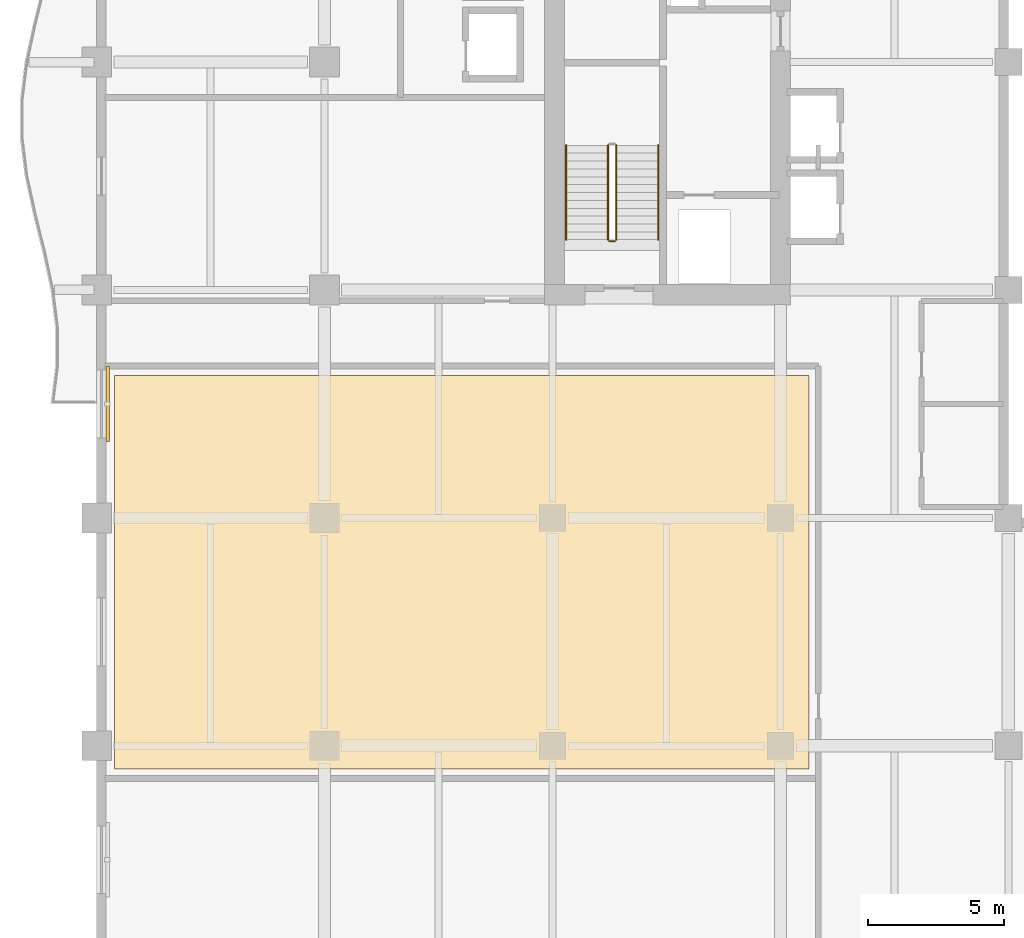
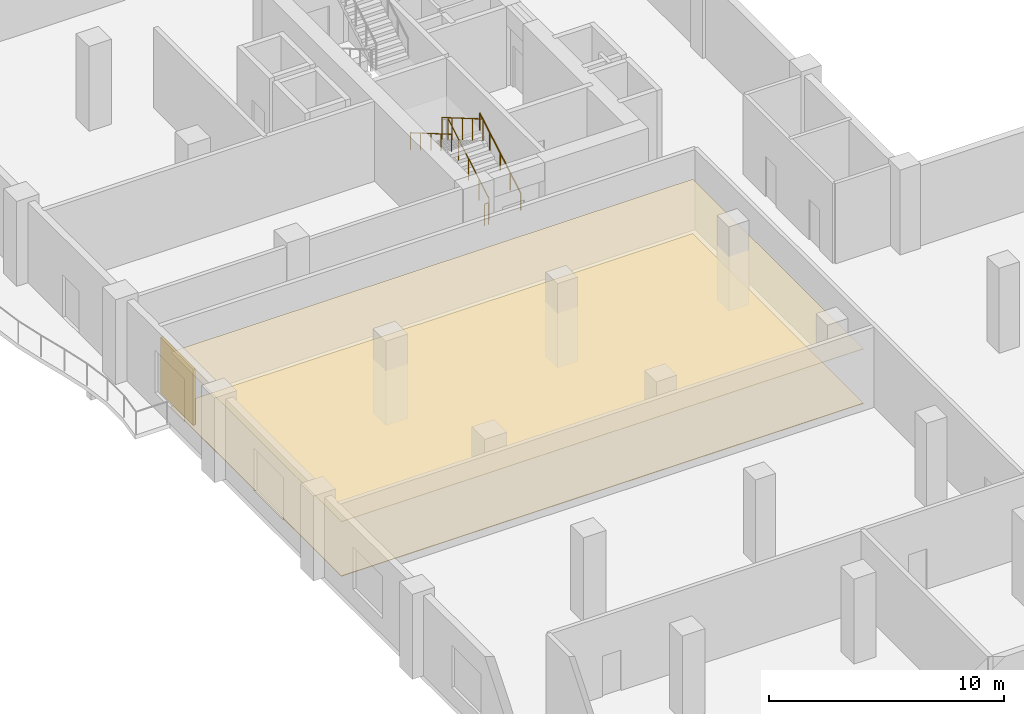
# One storey, part 20 of 22: 5 railings, 2 coverings, 1 shading device.
"""IFC4 building model written with IfcOpenShell, lengths in metres."""

from ifc_helpers import new_model, si_unit, direction, frame, origin, origin_2d, place, context, subcontext, project, spatial, polyline, rectangle, circle, outline, extrude, material, layer, layer_set, type_object, element, save


model = new_model("IFC4")

# Units and contexts
model_context = context("Model", 3, precision=1e-05, world=origin(), true_north=direction((0.0, 1.0)))
body_context = subcontext(model_context, "Body", "Model", "MODEL_VIEW")
ifc_project = project(units=[si_unit("LENGTHUNIT", "METRE"), si_unit("AREAUNIT", "SQUARE_METRE"), si_unit("VOLUMEUNIT", "CUBIC_METRE"), si_unit("PLANEANGLEUNIT", "RADIAN"), si_unit("MASSUNIT", "GRAM", prefix="KILO")], contexts=[model_context])

# Site, building, storey
site_placement = place(None, origin())
site = spatial("IfcSite", under=ifc_project, at=site_placement, CompositionType="ELEMENT")
building_placement = place(site_placement, origin())
building = spatial("IfcBuilding", under=site, at=building_placement, Name="Koriwani Terraces Tower", CompositionType="ELEMENT")
storey_placement = place(building_placement, frame((0.0, 0.0, 153.199951171875)))
storey = spatial("IfcBuildingStorey", under=building, at=storey_placement, Name="L37", CompositionType="ELEMENT", Elevation=153.199951171875)

# Coverings
ifc_material_1 = material(Name="Fire-Rated Acoustic Gypsum Partition", Category="masonry")
ifc_layer_1 = layer(ifc_material_1, 0.02490234375, Name="Fire-Rated Acoustic Gypsum Partition")
ifc_layer_set_1 = layer_set([ifc_layer_1], Name="Fire-Rated Acoustic Gypsum Partition")
covering_type_1 = type_object("IfcCoveringType", Name="CEILING_ACOUSTIC_GYPSUM", PredefinedType="CEILING", material=ifc_layer_set_1)
covering_1_placement = place(storey_placement, frame((0.0, 0.0, 2.824951171875)))
element("IfcCovering", 1, at=covering_1_placement, inside=storey, type_object=covering_type_1, Name="L37 Suspended Acoustic Gypsum Ceiling", PredefinedType="CEILING", context=body_context, shape_type="SweptSolid", body=[
    extrude(outline(polyline([(0.64990234375, 24.35009765625), (0.64990234375, 38.85009765625), (26.25, 38.85009765625), (26.25, 24.35009765625), (0.64990234375, 24.35009765625)])), origin(), (0.0, 0.0, 1.0), 0.025146484375),
])
ifc_material_2 = material(Name="Polished Andean Slate Flooring", Category="masonry")
ifc_layer_2 = layer(ifc_material_2, 0.030029296875, Name="Polished Andean Slate Flooring")
ifc_layer_set_2 = layer_set([ifc_layer_2], Name="Polished Andean Slate Flooring")
covering_type_2 = type_object("IfcCoveringType", Name="FLOORING_ANDEAN_STONE", PredefinedType="FLOORING", material=ifc_layer_set_2)
covering_2_placement = place(storey_placement, origin())
element("IfcCovering", 2, at=covering_2_placement, inside=storey, type_object=covering_type_2, Name="L37 Polished Andean Slate Floor Finish", PredefinedType="FLOORING", context=body_context, shape_type="SweptSolid", body=[
    extrude(outline(polyline([(0.64990234375, 24.35009765625), (0.64990234375, 38.85009765625), (26.25, 38.85009765625), (26.25, 24.35009765625), (0.64990234375, 24.35009765625)])), origin(), (0.0, 0.0, 1.0), 0.030029296875),
])

# Railings
ifc_material_3 = material(Name="Steel ASTM A572 Grade 50", Category="steel")
railing_type_1 = type_object("IfcRailingType", Name="GUARD_STAIR_WELL_1120", PredefinedType="GUARDRAIL", material=ifc_material_3)
railing_1_placement = place(storey_placement, frame((19.14990234375, 43.85009765625, 0.169189453125)))
element("IfcRailing", 3, at=railing_1_placement, inside=storey, type_object=railing_type_1, Name="L37 ST-W1 stair guard 1", PredefinedType="GUARDRAIL", context=body_context, shape_type="SweptSolid", body=[
    extrude(circle(Radius=0.02392578125, at=origin_2d()), frame((0.0, 0.0, 1.1259765625), z_axis=(0.0, 0.863695377172, 0.504014181796), x_axis=(-1.0, 0.0, 0.0)), (0.0, 0.0, 1.0), 4.029296875),
    extrude(circle(Radius=0.02099609375, at=origin_2d()), origin(), (0.0, 0.0, 1.0), 1.101806640625),
    extrude(circle(Radius=0.02099609375, at=origin_2d()), frame((0.0, 0.8701171875, 0.5078125)), (0.0, 0.0, 1.0), 1.101806640625),
    extrude(circle(Radius=0.02099609375, at=origin_2d()), frame((0.0, 1.739990234375, 1.015380859375)), (0.0, 0.0, 1.0), 1.101806640625),
    extrude(circle(Radius=0.02099609375, at=origin_2d()), frame((0.0, 2.60986328125, 1.52294921875)), (0.0, 0.0, 1.0), 1.101806640625),
    extrude(circle(Radius=0.02099609375, at=origin_2d()), frame((0.0, 3.47998046875, 2.03076171875)), (0.0, 0.0, 1.0), 1.101806640625),
])
railing_2_placement = place(storey_placement, frame((18.85009765625, 47.330078125, 2.369384765625)))
element("IfcRailing", 4, at=railing_2_placement, inside=storey, type_object=railing_type_1, Name="L37 ST-W1 stair guard 3", PredefinedType="GUARDRAIL", context=body_context, shape_type="SweptSolid", body=[
    extrude(circle(Radius=0.02392578125, at=origin_2d()), frame((0.0, 0.0, 1.1259765625), z_axis=(0.0, -0.863695377172, 0.504014181796), x_axis=(1.0, 0.0, 0.0)), (0.0, 0.0, 1.0), 4.029296875),
    extrude(circle(Radius=0.02099609375, at=origin_2d()), origin(), (0.0, 0.0, 1.0), 1.101806640625),
    extrude(circle(Radius=0.02099609375, at=origin_2d()), frame((0.0, -0.8701171875, 0.5078125)), (0.0, 0.0, 1.0), 1.101806640625),
    extrude(circle(Radius=0.02099609375, at=origin_2d()), frame((0.0, -1.739990234375, 1.015380859375)), (0.0, 0.0, 1.0), 1.101806640625),
    extrude(circle(Radius=0.02099609375, at=origin_2d()), frame((0.0, -2.60986328125, 1.52294921875)), (0.0, 0.0, 1.0), 1.101806640625),
    extrude(circle(Radius=0.02099609375, at=origin_2d()), frame((0.0, -3.47998046875, 2.03076171875)), (0.0, 0.0, 1.0), 1.101806640625),
])
railing_3_placement = place(storey_placement, frame((19.10009765625, 43.800048828125, 0.0)))
element("IfcRailing", 5, at=railing_3_placement, inside=storey, type_object=railing_type_1, Name="L37 ST-W1 stair guard 4", PredefinedType="GUARDRAIL", context=body_context, shape_type="SweptSolid", body=[
    extrude(circle(Radius=0.02392578125, at=origin_2d()), frame((0.0, 0.0, 1.1259765625), z_axis=(-1.0, 0.0, 0.0), x_axis=(0.0, -1.0, 0.0)), (0.0, 0.0, 1.0), 0.2001953125),
    extrude(circle(Radius=0.02099609375, at=origin_2d()), origin(), (0.0, 0.0, 1.0), 1.101806640625),
    extrude(circle(Radius=0.02099609375, at=origin_2d()), frame((-0.2001953125, 0.0, 0.0)), (0.0, 0.0, 1.0), 1.101806640625),
])
railing_type_2 = type_object("IfcRailingType", Name="HANDRAIL_STAIR_920", PredefinedType="HANDRAIL", material=ifc_material_3)
railing_4_placement = place(storey_placement, frame((20.699951171875, 43.85009765625, 0.169189453125)))
element("IfcRailing", 6, at=railing_4_placement, inside=storey, type_object=railing_type_2, Name="L37 ST-W1 stair handrail 1", PredefinedType="HANDRAIL", context=body_context, shape_type="SweptSolid", body=[
    extrude(circle(Radius=0.02392578125, at=origin_2d()), frame((0.0, 0.0, 0.8759765625), z_axis=(0.0, 0.863695377172, 0.504014181796), x_axis=(-1.0, 0.0, 0.0)), (0.0, 0.0, 1.0), 4.029296875),
    extrude(circle(Radius=0.02099609375, at=origin_2d()), origin(), (0.0, 0.0, 1.0), 0.851806640625),
    extrude(circle(Radius=0.02099609375, at=origin_2d()), frame((0.0, 0.8701171875, 0.5078125)), (0.0, 0.0, 1.0), 0.851806640625),
    extrude(circle(Radius=0.02099609375, at=origin_2d()), frame((0.0, 1.739990234375, 1.015380859375)), (0.0, 0.0, 1.0), 0.851806640625),
    extrude(circle(Radius=0.02099609375, at=origin_2d()), frame((0.0, 2.60986328125, 1.52294921875)), (0.0, 0.0, 1.0), 0.851806640625),
    extrude(circle(Radius=0.02099609375, at=origin_2d()), frame((0.0, 3.47998046875, 2.03076171875)), (0.0, 0.0, 1.0), 0.851806640625),
])
railing_5_placement = place(storey_placement, frame((17.300048828125, 47.330078125, 2.369384765625)))
element("IfcRailing", 7, at=railing_5_placement, inside=storey, type_object=railing_type_2, Name="L37 ST-W1 stair handrail 2", PredefinedType="HANDRAIL", context=body_context, shape_type="SweptSolid", body=[
    extrude(circle(Radius=0.02392578125, at=origin_2d()), frame((0.0, 0.0, 0.8759765625), z_axis=(0.0, -0.863695377172, 0.504014181796), x_axis=(1.0, 0.0, 0.0)), (0.0, 0.0, 1.0), 4.029296875),
    extrude(circle(Radius=0.02099609375, at=origin_2d()), origin(), (0.0, 0.0, 1.0), 0.851806640625),
    extrude(circle(Radius=0.02099609375, at=origin_2d()), frame((0.0, -0.8701171875, 0.5078125)), (0.0, 0.0, 1.0), 0.851806640625),
    extrude(circle(Radius=0.02099609375, at=origin_2d()), frame((0.0, -1.739990234375, 1.015380859375)), (0.0, 0.0, 1.0), 0.851806640625),
    extrude(circle(Radius=0.02099609375, at=origin_2d()), frame((0.0, -2.60986328125, 1.52294921875)), (0.0, 0.0, 1.0), 0.851806640625),
    extrude(circle(Radius=0.02099609375, at=origin_2d()), frame((0.0, -3.47998046875, 2.03076171875)), (0.0, 0.0, 1.0), 0.851806640625),
])

# Shading device
ifc_material_4 = material(Name="Extruded Terracotta Clay", Category="masonry")
ifc_layer_3 = layer(ifc_material_4, 0.1201171875, Name="Extruded Terracotta Clay")
ifc_layer_set_3 = layer_set([ifc_layer_3], Name="Extruded Terracotta Clay")
shading_device_type = type_object("IfcShadingDeviceType", Name="TERRACOTTA_BAGUETTE_SCREEN_2800", PredefinedType="USERDEFINED", material=ifc_layer_set_3)
shading_device_placement = place(storey_placement, frame((0.405029296875, 37.800048828125, 0.625), z_axis=(0.0, 0.0, 1.0), x_axis=(0.0, 1.0, 0.0)))
element("IfcShadingDevice", 8, at=shading_device_placement, inside=storey, type_object=shading_device_type, Name="L37 Extruded Terracotta Baguette Screen (W-12)", ObjectType="BAGUETTE", PredefinedType="USERDEFINED", context=body_context, shape_type="SweptSolid", body=[
    extrude(rectangle(XDim=2.760009765625, YDim=0.1201171875, at=origin_2d()), origin(), (0.0, 0.0, 1.0), 2.89990234375),
])

save(model, "model.ifc")
